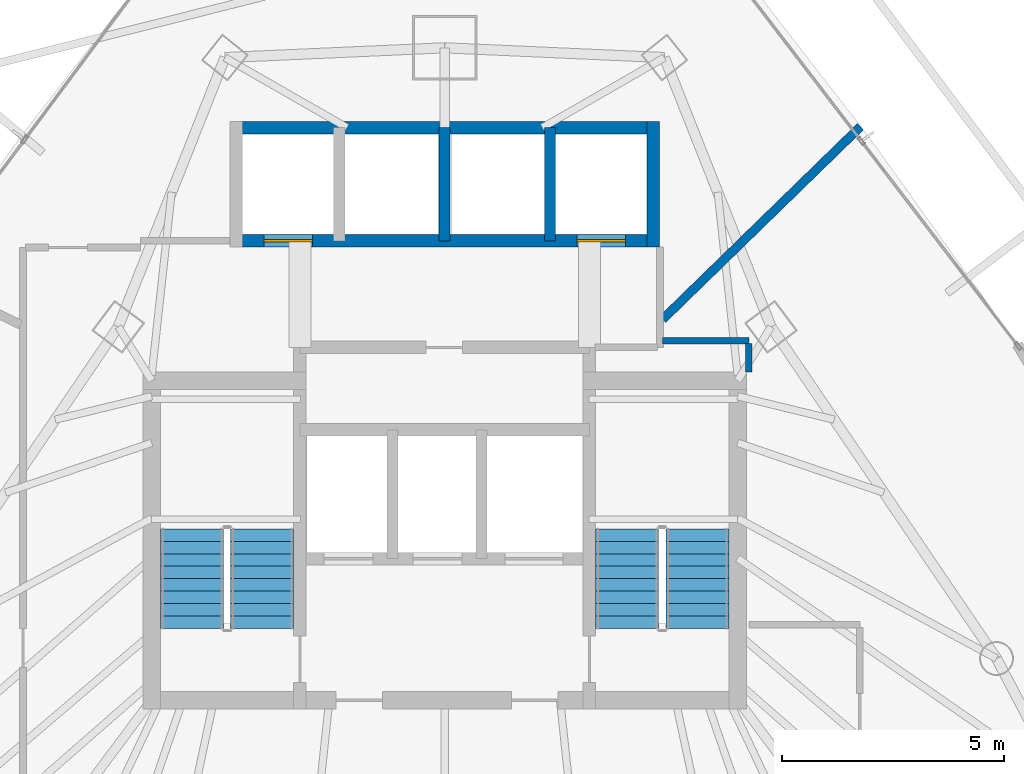
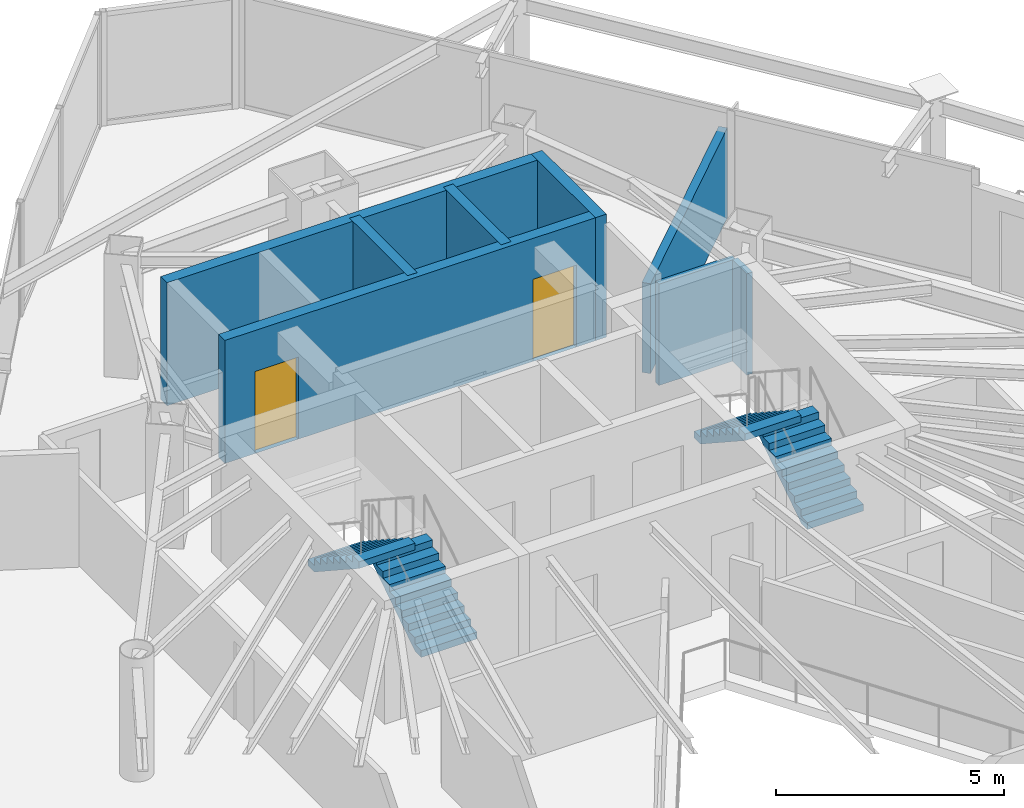
# One storey, part 28 of 31: 8 walls, 4 stair flights, 2 doors, 2 openings, 2 elements without a shape of their own.
"""IFC4 building model written with IfcOpenShell, lengths in metres."""

from ifc_helpers import new_model, si_unit, direction, frame, frame_2d, origin, place, context, subcontext, project, spatial, polyline, rectangle, outline, extrude, material, layer, layer_set, type_object, element, fill, aggregate, save


model = new_model("IFC4")

# Units and contexts
model_context = context("Model", 3, precision=1e-05, world=origin(), true_north=direction((0.0, 1.0)))
body_context = subcontext(model_context, "Body", "Model", "MODEL_VIEW")
ifc_project = project(units=[si_unit("LENGTHUNIT", "METRE"), si_unit("AREAUNIT", "SQUARE_METRE"), si_unit("VOLUMEUNIT", "CUBIC_METRE"), si_unit("PLANEANGLEUNIT", "RADIAN"), si_unit("MASSUNIT", "GRAM", prefix="KILO")], contexts=[model_context])

# Site, building, storey
site_placement = place(None, origin())
site = spatial("IfcSite", under=ifc_project, at=site_placement, CompositionType="ELEMENT")
building_placement = place(site_placement, origin())
building = spatial("IfcBuilding", under=site, at=building_placement, Name="Orvanel Arch Residences", CompositionType="ELEMENT")
storey_placement = place(building_placement, frame((0.0, 0.0, 113.300048828125)))
storey = spatial("IfcBuildingStorey", under=building, at=storey_placement, Name="L31", CompositionType="ELEMENT", Elevation=113.300048828125)

# Walls
ifc_material_1 = material(Name="Concrete N50 (50 MPa)", Category="concrete")
ifc_layer_1 = layer(ifc_material_1, 0.25)
ifc_layer_set_1 = layer_set([ifc_layer_1], Name="Concrete N50 (50 MPa)")
wall_type_1 = type_object("IfcWallType", Name="SW-CORE-250", PredefinedType="SHEAR", material=ifc_layer_set_1)
for number, where, z_axis, x_axis, name in (
    (1, (33.0, 37.050048828125, 0.0), (0.0, 0.0, 1.0), (0.0, 1.0, 0.0), "L31 Passenger Lift Inter-Shaft Wall P56"),
    (2, (35.375, 37.050048828125, 0.0), (0.0, 0.0, 1.0), (0.0, 1.0, 0.0), "L31 Passenger Lift Inter-Shaft Wall P64"),
):
    element("IfcWall", number, at=place(storey_placement, frame(where, z_axis=z_axis, x_axis=x_axis)), inside=storey, type_object=wall_type_1, Name=name, PredefinedType="SHEAR", context=body_context, shape_type="SweptSolid", body=[
        extrude(rectangle(XDim=2.550048828125, YDim=0.25, at=frame_2d((1.27490234375, 0.0))), origin(), (0.0, 0.0, 1.0), 3.300048828125),
    ])

# Wall, openings, doors
ifc_material_2 = material(Name="Concrete S65 (65 MPa)", Category="concrete")
ifc_layer_2 = layer(ifc_material_2, 0.280029296875)
ifc_layer_set_2 = layer_set([ifc_layer_2], Name="Concrete S65 (65 MPa)")
wall_type_2 = type_object("IfcWallType", Name="SW-CORE-280", PredefinedType="SHEAR", material=ifc_layer_set_2)
wall_1_placement = place(storey_placement, frame((37.840087890625, 37.050048828125, 0.0), z_axis=(0.0, 0.0, 1.0), x_axis=(-1.0, 0.0, 0.0)))
wall_1 = element("IfcWall", 3, at=wall_1_placement, inside=storey, type_object=wall_type_2, Name="L31 Passenger Lift Bank Front Shear Wall", PredefinedType="SHEAR", context=body_context, shape_type="SweptSolid", body=[
    extrude(rectangle(XDim=9.68017578125, YDim=0.280029296875, at=frame_2d((4.840087890625, 0.0))), origin(), (0.0, 0.0, 1.0), 3.300048828125),
])
opening_1_placement = place(wall_1_placement, frame((7.81494140625, 0.0, 0.0)))
opening_1 = element("IfcOpeningElement", 4, at=opening_1_placement, cuts=wall_1, Name="Opening LD-110", PredefinedType="OPENING", context=body_context, shape_type="SweptSolid", body=[
    extrude(rectangle(XDim=1.10009765625, YDim=2.199951171875, at=frame_2d((0.550048828125, 1.10009765625))), frame((0.0, 0.14990234375, 0.0), z_axis=(0.0, -1.0, 0.0), x_axis=(1.0, 0.0, 0.0)), (0.0, 0.0, 1.0), 0.300048828125),
])
opening_2_placement = place(wall_1_placement, frame((0.764892578125, 0.0, 0.0)))
opening_2 = element("IfcOpeningElement", 5, at=opening_2_placement, cuts=wall_1, Name="Opening LD-110", PredefinedType="OPENING", context=body_context, shape_type="SweptSolid", body=[
    extrude(rectangle(XDim=1.10009765625, YDim=2.199951171875, at=frame_2d((0.550048828125, 1.10009765625))), frame((0.0, 0.14990234375, 0.0), z_axis=(0.0, -1.0, 0.0), x_axis=(1.0, 0.0, 0.0)), (0.0, 0.0, 1.0), 0.300048828125),
])
ifc_material_3 = material(Name="Galvanised steel fire-resisting door assembly", Category="steel")
door_type = type_object("IfcDoorType", Name="DR-LFT-1100", OperationType="NOTDEFINED", PredefinedType="DOOR", material=ifc_material_3)
door_1_placement = place(opening_1_placement, origin())
door_1 = element("IfcDoor", 6, at=door_1_placement, inside=storey, type_object=door_type, Name="LD-P3-L31 L31 Passenger Lift P3 Sliding Landing Door", OperationType="DOUBLE_DOOR_SLIDING", OverallHeight=2.199951171875, OverallWidth=1.10009765625, PredefinedType="DOOR", context=body_context, shape_type="SweptSolid", body=[
    extrude(rectangle(XDim=1.10009765625, YDim=2.199951171875, at=frame_2d((0.550048828125, 1.10009765625))), frame((0.0, 0.02490234375, 0.0), z_axis=(0.0, -1.0, 0.0), x_axis=(1.0, 0.0, 0.0)), (0.0, 0.0, 1.0), 0.050048828125),
])
fill(opening_1, door_1)
door_2_placement = place(opening_2_placement, origin())
door_2 = element("IfcDoor", 7, at=door_2_placement, inside=storey, type_object=door_type, Name="LD-P4-L31 L31 Passenger Lift P4 Sliding Landing Door", OperationType="DOUBLE_DOOR_SLIDING", OverallHeight=2.199951171875, OverallWidth=1.10009765625, PredefinedType="DOOR", context=body_context, shape_type="SweptSolid", body=[
    extrude(rectangle(XDim=1.10009765625, YDim=2.199951171875, at=frame_2d((0.550048828125, 1.10009765625))), frame((0.0, 0.02490234375, 0.0), z_axis=(0.0, -1.0, 0.0), x_axis=(1.0, 0.0, 0.0)), (0.0, 0.0, 1.0), 0.050048828125),
])
fill(opening_2, door_2)

# Walls
wall_2_placement = place(storey_placement, frame((28.159912109375, 39.60009765625, 0.0), z_axis=(0.0, 0.0, 1.0), x_axis=(1.0, 0.0, 0.0)))
element("IfcWall", 8, at=wall_2_placement, inside=storey, type_object=wall_type_2, Name="L31 Passenger Lift Bank North Shear Wall", PredefinedType="SHEAR", context=body_context, shape_type="SweptSolid", body=[
    extrude(rectangle(XDim=9.68017578125, YDim=0.280029296875, at=frame_2d((4.840087890625, 0.0))), origin(), (0.0, 0.0, 1.0), 3.300048828125),
])
wall_3_placement = place(storey_placement, frame((37.699951171875, 36.909912109375, 0.0), z_axis=(0.0, 0.0, 1.0), x_axis=(0.0, 1.0, 0.0)))
element("IfcWall", 9, at=wall_3_placement, inside=storey, type_object=wall_type_2, Name="L31 Passenger Lift Bank East Shear Wall", PredefinedType="SHEAR", context=body_context, shape_type="SweptSolid", body=[
    extrude(rectangle(XDim=2.830078125, YDim=0.280029296875, at=frame_2d((1.4150390625, 0.0))), origin(), (0.0, 0.0, 1.0), 3.300048828125),
])
ifc_material_4 = material(Name="Fire-rated plasterboard lined steel stud partition", Category="steel")
ifc_layer_3 = layer(ifc_material_4, 0.14990234375)
ifc_layer_set_3 = layer_set([ifc_layer_3], Name="Fire-rated plasterboard lined steel stud partition")
wall_type_3 = type_object("IfcWallType", Name="W-COR-150", PredefinedType="PARTITIONING", material=ifc_layer_set_3)
wall_4_placement = place(storey_placement, frame((37.909912109375, 34.800048828125, 0.0), z_axis=(0.0, 0.0, 1.0), x_axis=(1.0, 0.0, 0.0)))
element("IfcWall", 10, at=wall_4_placement, inside=storey, type_object=wall_type_3, Name="L31 Core Perimeter Partition", PredefinedType="PARTITIONING", context=body_context, shape_type="SweptSolid", body=[
    extrude(rectangle(XDim=1.940185546875, YDim=0.14990234375, at=frame_2d((0.97021484375, 0.0))), origin(), (0.0, 0.0, 1.0), 2.720947265625),
])
wall_5_placement = place(storey_placement, frame((39.85009765625, 34.739990234375, 0.0), z_axis=(0.0, 0.0, 1.0), x_axis=(0.0, -1.0, 0.0)))
element("IfcWall", 11, at=wall_5_placement, inside=storey, type_object=wall_type_3, Name="L31 Core Perimeter Partition", PredefinedType="PARTITIONING", context=body_context, shape_type="SweptSolid", body=[
    extrude(rectangle(XDim=0.639892578125, YDim=0.14990234375, at=frame_2d((0.31982421875, 0.0))), origin(), (0.0, 0.0, 1.0), 2.720947265625),
])
ifc_layer_4 = layer(ifc_material_4, 0.199951171875)
ifc_layer_set_4 = layer_set([ifc_layer_4], Name="Fire-rated plasterboard lined steel stud partition")
wall_type_4 = type_object("IfcWallType", Name="W-DEM-200", PredefinedType="PARTITIONING", material=ifc_layer_set_4)
wall_6_placement = place(storey_placement, frame((37.909912109375, 35.281982421875, 0.0), z_axis=(0.0, 0.0, 1.0), x_axis=(0.716392659664, 0.697697324905, 0.0)))
element("IfcWall", 12, at=wall_6_placement, inside=storey, type_object=wall_type_4, Name="L31 Inter-Tenancy Acoustic Demising Wall", PredefinedType="PARTITIONING", context=body_context, shape_type="SweptSolid", body=[
    extrude(rectangle(XDim=6.216064453125, YDim=0.199951171875, at=frame_2d((3.10791015625, 0.0))), origin(), (0.0, 0.0, 1.0), 2.412841796875),
])

# Stair, stair flights
ifc_material_5 = material(Name="Precast concrete N50 (50 MPa)", Category="concrete")
stair_type = type_object("IfcStairType", Name="STR-DOG-184", PredefinedType="USERDEFINED", material=ifc_material_5)
stair_1_placement = place(storey_placement, origin())
stair_1 = element("IfcStair", 13, at=stair_1_placement, inside=storey, type_object=stair_type, Name="L31 Fire-Isolated Core Exit Stair 1", ObjectType="TWO_RETURN_STAIR", PredefinedType="USERDEFINED")
stair_flight_type_1 = type_object("IfcStairFlightType", Name="SFL-C1-184", PredefinedType="STRAIGHT", material=ifc_material_5)
stair_flight_1_placement = place(storey_placement, frame((28.889892578125, 28.320068359375, 0.0), z_axis=(0.0, 0.0, 1.0), x_axis=(0.0, 1.0, 0.0)))
stair_flight_1 = element("IfcStairFlight", 14, at=stair_flight_1_placement, type_object=stair_flight_type_1, Name="ST-1 flight 1", NumberOfRisers=9, NumberOfTreads=8, PredefinedType="STRAIGHT", RiserHeight=0.183333333, TreadLength=0.28, context=body_context, shape_type="SweptSolid", body=[
    extrude(outline(polyline([(0.0, 0.0), (0.0, 0.183349609375), (0.280029296875, 0.183349609375), (0.280029296875, 0.36669921875), (0.56005859375, 0.36669921875), (0.56005859375, 0.550048828125), (0.840087890625, 0.550048828125), (0.840087890625, 0.7333984375), (1.1201171875, 0.7333984375), (1.1201171875, 0.916748046875), (1.39990234375, 0.916748046875), (1.39990234375, 1.10009765625), (1.679931640625, 1.10009765625), (1.679931640625, 1.283447265625), (1.9599609375, 1.283447265625), (1.9599609375, 1.466552734375), (2.239990234375, 1.466552734375), (2.239990234375, 1.64990234375), (2.239990234375, 1.28759765625), (0.273681640625, 0.0), (0.0, 0.0)])), frame((0.0, 0.7099609375, 0.0), z_axis=(0.0, -1.0, 0.0), x_axis=(1.0, 0.0, 0.0)), (0.0, 0.0, 1.0), 1.419921875),
])
stair_flight_2_placement = place(storey_placement, frame((27.31005859375, 30.56005859375, 1.64990234375), z_axis=(0.0, 0.0, 1.0), x_axis=(0.0, -1.0, 0.0)))
stair_flight_2 = element("IfcStairFlight", 15, at=stair_flight_2_placement, type_object=stair_flight_type_1, Name="ST-1 flight 2", NumberOfRisers=9, NumberOfTreads=8, PredefinedType="STRAIGHT", RiserHeight=0.183333333, TreadLength=0.28, context=body_context, shape_type="SweptSolid", body=[
    extrude(outline(polyline([(0.0, 0.0), (0.0, 0.183349609375), (0.280029296875, 0.183349609375), (0.280029296875, 0.36669921875), (0.56005859375, 0.36669921875), (0.56005859375, 0.550048828125), (0.840087890625, 0.550048828125), (0.840087890625, 0.7333984375), (1.1201171875, 0.7333984375), (1.1201171875, 0.916748046875), (1.39990234375, 0.916748046875), (1.39990234375, 1.10009765625), (1.679931640625, 1.10009765625), (1.679931640625, 1.283447265625), (1.9599609375, 1.283447265625), (1.9599609375, 1.466552734375), (2.239990234375, 1.466552734375), (2.239990234375, 1.64990234375), (2.239990234375, 1.28759765625), (0.273681640625, 0.0), (0.0, 0.0)])), frame((0.0, 0.7099609375, 0.0), z_axis=(0.0, -1.0, 0.0), x_axis=(1.0, 0.0, 0.0)), (0.0, 0.0, 1.0), 1.419921875),
])
aggregate(stair_1, [stair_flight_1, stair_flight_2])

stair_2_placement = place(storey_placement, origin())
stair_2 = element("IfcStair", 16, at=stair_2_placement, inside=storey, type_object=stair_type, Name="L31 Fire-Isolated Core Exit Stair 2", ObjectType="TWO_RETURN_STAIR", PredefinedType="USERDEFINED")
stair_flight_type_2 = type_object("IfcStairFlightType", Name="SFL-C2-184", PredefinedType="STRAIGHT", material=ifc_material_5)
stair_flight_3_placement = place(storey_placement, frame((38.68994140625, 28.320068359375, 0.0), z_axis=(0.0, 0.0, 1.0), x_axis=(0.0, 1.0, 0.0)))
stair_flight_3 = element("IfcStairFlight", 17, at=stair_flight_3_placement, type_object=stair_flight_type_2, Name="ST-2 flight 1", NumberOfRisers=9, NumberOfTreads=8, PredefinedType="STRAIGHT", RiserHeight=0.183333333, TreadLength=0.28, context=body_context, shape_type="SweptSolid", body=[
    extrude(outline(polyline([(0.0, 0.0), (0.0, 0.183349609375), (0.280029296875, 0.183349609375), (0.280029296875, 0.36669921875), (0.56005859375, 0.36669921875), (0.56005859375, 0.550048828125), (0.840087890625, 0.550048828125), (0.840087890625, 0.7333984375), (1.1201171875, 0.7333984375), (1.1201171875, 0.916748046875), (1.39990234375, 0.916748046875), (1.39990234375, 1.10009765625), (1.679931640625, 1.10009765625), (1.679931640625, 1.283447265625), (1.9599609375, 1.283447265625), (1.9599609375, 1.466552734375), (2.239990234375, 1.466552734375), (2.239990234375, 1.64990234375), (2.239990234375, 1.28759765625), (0.273681640625, 0.0), (0.0, 0.0)])), frame((0.0, 0.7099609375, 0.0), z_axis=(0.0, -1.0, 0.0), x_axis=(1.0, 0.0, 0.0)), (0.0, 0.0, 1.0), 1.419921875),
])
stair_flight_4_placement = place(storey_placement, frame((37.110107421875, 30.56005859375, 1.64990234375), z_axis=(0.0, 0.0, 1.0), x_axis=(0.0, -1.0, 0.0)))
stair_flight_4 = element("IfcStairFlight", 18, at=stair_flight_4_placement, type_object=stair_flight_type_2, Name="ST-2 flight 2", NumberOfRisers=9, NumberOfTreads=8, PredefinedType="STRAIGHT", RiserHeight=0.183333333, TreadLength=0.28, context=body_context, shape_type="SweptSolid", body=[
    extrude(outline(polyline([(0.0, 0.0), (0.0, 0.183349609375), (0.280029296875, 0.183349609375), (0.280029296875, 0.36669921875), (0.56005859375, 0.36669921875), (0.56005859375, 0.550048828125), (0.840087890625, 0.550048828125), (0.840087890625, 0.7333984375), (1.1201171875, 0.7333984375), (1.1201171875, 0.916748046875), (1.39990234375, 0.916748046875), (1.39990234375, 1.10009765625), (1.679931640625, 1.10009765625), (1.679931640625, 1.283447265625), (1.9599609375, 1.283447265625), (1.9599609375, 1.466552734375), (2.239990234375, 1.466552734375), (2.239990234375, 1.64990234375), (2.239990234375, 1.28759765625), (0.273681640625, 0.0), (0.0, 0.0)])), frame((0.0, 0.7099609375, 0.0), z_axis=(0.0, -1.0, 0.0), x_axis=(1.0, 0.0, 0.0)), (0.0, 0.0, 1.0), 1.419921875),
])
aggregate(stair_2, [stair_flight_3, stair_flight_4])

save(model, "model.ifc")
